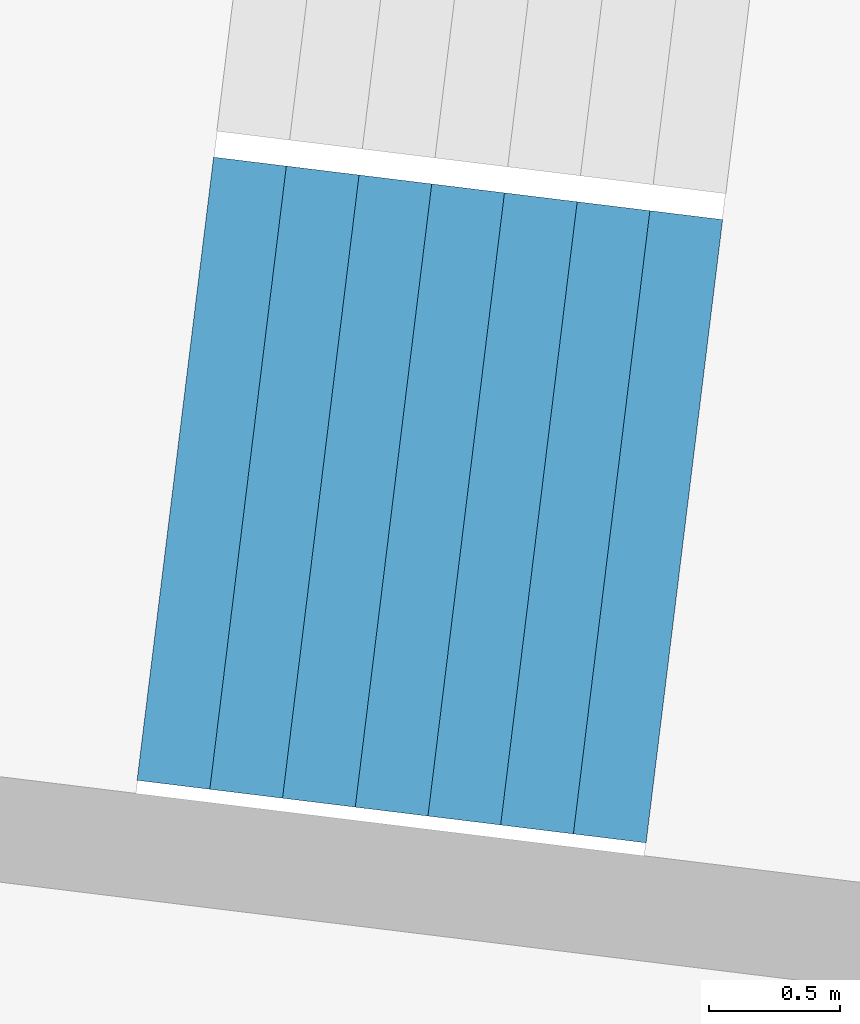
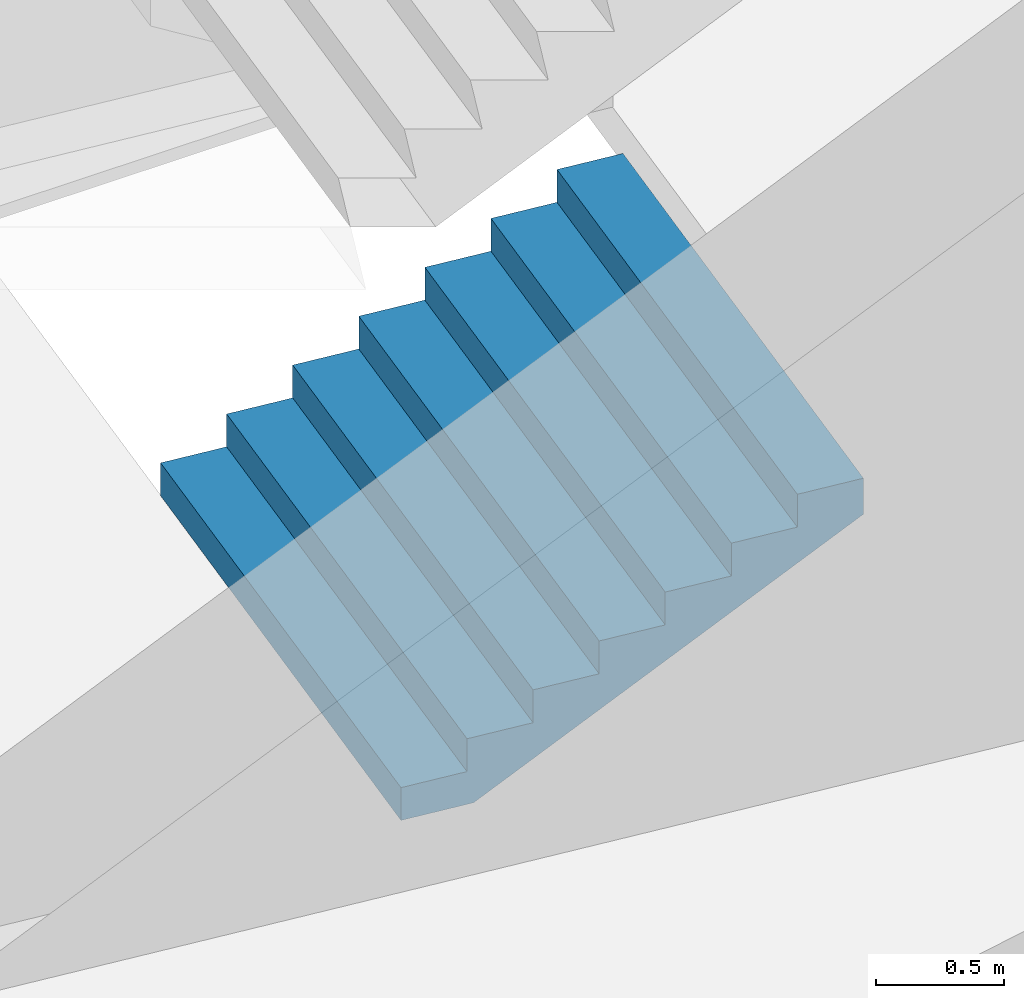
# One storey, part 53 of 73: 1 stair flight, 1 element without a shape of its own.
"""IFC4 building model written with IfcOpenShell, lengths in metres."""

from ifc_helpers import new_model, si_unit, direction, frame, origin, place, context, subcontext, project, spatial, triangles, material, type_object, element, aggregate, save


model = new_model("IFC4")

# Units and contexts
model_context = context("Model", 3, precision=1e-05, world=origin(), true_north=direction((0.0, 1.0)))
body_context = subcontext(model_context, "Body", "Model", "MODEL_VIEW")
ifc_project = project(units=[si_unit("LENGTHUNIT", "METRE"), si_unit("AREAUNIT", "SQUARE_METRE"), si_unit("VOLUMEUNIT", "CUBIC_METRE"), si_unit("PLANEANGLEUNIT", "RADIAN"), si_unit("MASSUNIT", "GRAM", prefix="KILO")], contexts=[model_context])

# Site, building, storey
site_placement = place(None, origin())
site = spatial("IfcSite", under=ifc_project, at=site_placement, CompositionType="ELEMENT")
building_placement = place(site_placement, origin())
building = spatial("IfcBuilding", under=site, at=building_placement, Name="Lantaw Convention Tower", CompositionType="ELEMENT")
storey_placement = place(building_placement, frame((0.0, 0.0, 22.0)))
storey = spatial("IfcBuildingStorey", under=building, at=storey_placement, Name="L03", CompositionType="ELEMENT", Elevation=22.0)

# Stair, stair flight
ifc_material = material(Name="Concrete C35/45", Category="concrete")
stair_type = type_object("IfcStairType", Name="Exit stair 2400 riser 156.25 in 4 flights", PredefinedType="HALF_TURN_STAIR", material=ifc_material)
stair_placement = place(storey_placement, origin())
stair = element("IfcStair", 1, at=stair_placement, inside=storey, type_object=stair_type, Name="Podium exit stair P13 L03", PredefinedType="HALF_TURN_STAIR")
stair_flight_type = type_object("IfcStairFlightType", Name="Stair flight 2400 riser 156.25", PredefinedType="STRAIGHT", material=ifc_material)
stair_flight_placement = place(storey_placement, frame((34.857421875, -5.539306640625, 0.0), z_axis=(0.0, 0.0, 1.0), x_axis=(0.992546151641, -0.121869343405, 0.0)))
stair_flight = element("IfcStairFlight", 2, at=stair_flight_placement, type_object=stair_flight_type, Name="P13 flight 1", NumberOfRisers=8, NumberOfTreads=7, PredefinedType="STRAIGHT", RiserHeight=0.15625, TreadLength=0.28, context=body_context, shape_type="Tessellation", body=[
    triangles([(0.0, 1.199951171875, 0.0), (0.0, 1.199951171875, 0.15625), (0.28, 1.199951171875, 0.0), (0.28, 1.199951171875, 0.15625), (0.28, 1.199951171875, 0.3125), (0.3076200632058044, 1.199951171875, 0.0), (0.3076200632058044, 1.199951171875, 0.3125), (0.56, 1.199951171875, 0.14083701830033238), (0.56, 1.199951171875, 0.3125), (0.56, 1.199951171875, 0.46875), (0.8400000000000001, 1.199951171875, 0.29708701830033235), (0.8400000000000001, 1.199951171875, 0.46875), (0.8400000000000001, 1.199951171875, 0.625), (1.12, 1.199951171875, 0.45333701830033235), (1.12, 1.199951171875, 0.625), (1.12, 1.199951171875, 0.78125), (1.4000000000000001, 1.199951171875, 0.6095870183003324), (1.4000000000000001, 1.199951171875, 0.78125), (1.4000000000000001, 1.199951171875, 0.9375), (1.6800000000000002, 1.199951171875, 0.7658370183003324), (1.6800000000000002, 1.199951171875, 0.9375), (1.6800000000000002, 1.199951171875, 1.09375), (1.9600000000000002, 1.199951171875, 0.9220870183003324), (1.9600000000000002, 1.199951171875, 1.09375), (0.0, -1.199951171875, 0.0), (0.0, -1.199951171875, 0.15625), (0.28, -1.199951171875, 0.0), (0.28, -1.199951171875, 0.15625), (0.28, -1.199951171875, 0.3125), (0.3076200632058044, -1.199951171875, 0.0), (0.3076200632058044, -1.199951171875, 0.3125), (0.56, -1.199951171875, 0.14083701830033238), (0.56, -1.199951171875, 0.3125), (0.56, -1.199951171875, 0.46875), (0.8400000000000001, -1.199951171875, 0.29708701830033235), (0.8400000000000001, -1.199951171875, 0.46875), (0.8400000000000001, -1.199951171875, 0.625), (1.12, -1.199951171875, 0.45333701830033235), (1.12, -1.199951171875, 0.625), (1.12, -1.199951171875, 0.78125), (1.4000000000000001, -1.199951171875, 0.6095870183003324), (1.4000000000000001, -1.199951171875, 0.78125), (1.4000000000000001, -1.199951171875, 0.9375), (1.6800000000000002, -1.199951171875, 0.7658370183003324), (1.6800000000000002, -1.199951171875, 0.9375), (1.6800000000000002, -1.199951171875, 1.09375), (1.9600000000000002, -1.199951171875, 0.9220870183003324), (1.9600000000000002, -1.199951171875, 1.09375), (0.0, 0.239990234375, 0.15625), (0.0, 0.239990234375, 0.0), (0.0, 0.1919921875, 0.15625), (0.0, 0.1919921875, 0.0), (0.0, 0.143994140625, 0.15625), (0.0, 0.143994140625, 0.0), (0.0, 0.09599609375, 0.15625), (0.0, 0.09599609375, 0.0), (0.0, 0.047998046875, 0.15625), (0.0, 0.047998046875, 0.0), (0.0, 0.0, 0.15625), (0.0, 0.0, 0.0), (0.0, -0.047998046875, 0.15625), (0.0, -0.047998046875, 0.0), (0.0, -0.09599609375, 0.15625), (0.0, -0.09599609375, 0.0), (0.0, -0.143994140625, 0.15625), (0.0, -0.143994140625, 0.0), (0.0, -0.1919921875, 0.15625), (0.0, -0.1919921875, 0.0), (0.0, -0.239990234375, 0.15625), (0.0, -0.239990234375, 0.0), (0.28, 0.239990234375, 0.3125), (0.28, 0.239990234375, 0.15625), (0.28, 0.1919921875, 0.3125), (0.28, 0.1919921875, 0.15625), (0.28, 0.143994140625, 0.3125), (0.28, 0.143994140625, 0.15625), (0.28, 0.09599609375, 0.3125), (0.28, 0.09599609375, 0.15625), (0.28, 0.047998046875, 0.3125), (0.28, 0.047998046875, 0.15625), (0.28, 0.0, 0.3125), (0.28, 0.0, 0.15625), (0.28, -0.047998046875, 0.3125), (0.28, -0.047998046875, 0.15625), (0.28, -0.09599609375, 0.3125), (0.28, -0.09599609375, 0.15625), (0.28, -0.143994140625, 0.3125), (0.28, -0.143994140625, 0.15625), (0.28, -0.1919921875, 0.3125), (0.28, -0.1919921875, 0.15625), (0.28, -0.239990234375, 0.3125), (0.28, -0.239990234375, 0.15625), (0.56, 0.239990234375, 0.46875), (0.56, 0.239990234375, 0.3125), (0.56, 0.1919921875, 0.46875), (0.56, 0.1919921875, 0.3125), (0.56, 0.143994140625, 0.46875), (0.56, 0.143994140625, 0.3125), (0.56, 0.09599609375, 0.46875), (0.56, 0.09599609375, 0.3125), (0.56, 0.047998046875, 0.46875), (0.56, 0.047998046875, 0.3125), (0.56, 0.0, 0.46875), (0.56, 0.0, 0.3125), (0.56, -0.047998046875, 0.46875), (0.56, -0.047998046875, 0.3125), (0.56, -0.09599609375, 0.46875), (0.56, -0.09599609375, 0.3125), (0.56, -0.143994140625, 0.46875), (0.56, -0.143994140625, 0.3125), (0.56, -0.1919921875, 0.46875), (0.56, -0.1919921875, 0.3125), (0.56, -0.239990234375, 0.46875), (0.56, -0.239990234375, 0.3125), (0.8400000000000001, 0.239990234375, 0.625), (0.8400000000000001, 0.239990234375, 0.46875), (0.8400000000000001, 0.1919921875, 0.625), (0.8400000000000001, 0.1919921875, 0.46875), (0.8400000000000001, 0.143994140625, 0.625), (0.8400000000000001, 0.143994140625, 0.46875), (0.8400000000000001, 0.09599609375, 0.625), (0.8400000000000001, 0.09599609375, 0.46875), (0.8400000000000001, 0.047998046875, 0.625), (0.8400000000000001, 0.047998046875, 0.46875), (0.8400000000000001, 0.0, 0.625), (0.8400000000000001, 0.0, 0.46875), (0.8400000000000001, -0.047998046875, 0.625), (0.8400000000000001, -0.047998046875, 0.46875), (0.8400000000000001, -0.09599609375, 0.625), (0.8400000000000001, -0.09599609375, 0.46875), (0.8400000000000001, -0.143994140625, 0.625), (0.8400000000000001, -0.143994140625, 0.46875), (0.8400000000000001, -0.1919921875, 0.625), (0.8400000000000001, -0.1919921875, 0.46875), (0.8400000000000001, -0.239990234375, 0.625), (0.8400000000000001, -0.239990234375, 0.46875), (1.12, 0.239990234375, 0.78125), (1.12, 0.239990234375, 0.625), (1.12, 0.1919921875, 0.78125), (1.12, 0.1919921875, 0.625), (1.12, 0.143994140625, 0.78125), (1.12, 0.143994140625, 0.625), (1.12, 0.09599609375, 0.78125), (1.12, 0.09599609375, 0.625), (1.12, 0.047998046875, 0.78125), (1.12, 0.047998046875, 0.625), (1.12, 0.0, 0.78125), (1.12, 0.0, 0.625), (1.12, -0.047998046875, 0.78125), (1.12, -0.047998046875, 0.625), (1.12, -0.09599609375, 0.78125), (1.12, -0.09599609375, 0.625), (1.12, -0.143994140625, 0.78125), (1.12, -0.143994140625, 0.625), (1.12, -0.1919921875, 0.78125), (1.12, -0.1919921875, 0.625), (1.12, -0.239990234375, 0.78125), (1.12, -0.239990234375, 0.625), (1.4000000000000001, 0.239990234375, 0.9375), (1.4000000000000001, 0.239990234375, 0.78125), (1.4000000000000001, 0.1919921875, 0.9375), (1.4000000000000001, 0.1919921875, 0.78125), (1.4000000000000001, 0.143994140625, 0.9375), (1.4000000000000001, 0.143994140625, 0.78125), (1.4000000000000001, 0.09599609375, 0.9375), (1.4000000000000001, 0.09599609375, 0.78125), (1.4000000000000001, 0.047998046875, 0.9375), (1.4000000000000001, 0.047998046875, 0.78125), (1.4000000000000001, 0.0, 0.9375), (1.4000000000000001, 0.0, 0.78125), (1.4000000000000001, -0.047998046875, 0.9375), (1.4000000000000001, -0.047998046875, 0.78125), (1.4000000000000001, -0.09599609375, 0.9375), (1.4000000000000001, -0.09599609375, 0.78125), (1.4000000000000001, -0.143994140625, 0.9375), (1.4000000000000001, -0.143994140625, 0.78125), (1.4000000000000001, -0.1919921875, 0.9375), (1.4000000000000001, -0.1919921875, 0.78125), (1.4000000000000001, -0.239990234375, 0.9375), (1.4000000000000001, -0.239990234375, 0.78125), (1.6800000000000002, 0.239990234375, 1.09375), (1.6800000000000002, 0.239990234375, 0.9375), (1.6800000000000002, 0.1919921875, 1.09375), (1.6800000000000002, 0.1919921875, 0.9375), (1.6800000000000002, 0.143994140625, 1.09375), (1.6800000000000002, 0.143994140625, 0.9375), (1.6800000000000002, 0.09599609375, 1.09375), (1.6800000000000002, 0.09599609375, 0.9375), (1.6800000000000002, 0.047998046875, 1.09375), (1.6800000000000002, 0.047998046875, 0.9375), (1.6800000000000002, 0.0, 1.09375), (1.6800000000000002, 0.0, 0.9375), (1.6800000000000002, -0.047998046875, 1.09375), (1.6800000000000002, -0.047998046875, 0.9375), (1.6800000000000002, -0.09599609375, 1.09375), (1.6800000000000002, -0.09599609375, 0.9375), (1.6800000000000002, -0.143994140625, 1.09375), (1.6800000000000002, -0.143994140625, 0.9375), (1.6800000000000002, -0.1919921875, 1.09375), (1.6800000000000002, -0.1919921875, 0.9375), (1.6800000000000002, -0.239990234375, 1.09375), (1.6800000000000002, -0.239990234375, 0.9375), (0.3076200632058044, 0.239990234375, 0.3125), (0.3076200632058044, 0.1919921875, 0.3125), (0.3076200632058044, 0.143994140625, 0.3125), (0.3076200632058044, 0.09599609375, 0.3125), (0.3076200632058044, 0.047998046875, 0.3125), (0.3076200632058044, 0.0, 0.3125), (0.3076200632058044, -0.047998046875, 0.3125), (0.3076200632058044, -0.09599609375, 0.3125), (0.3076200632058044, -0.143994140625, 0.3125), (0.3076200632058044, -0.1919921875, 0.3125), (0.3076200632058044, -0.239990234375, 0.3125), (1.9600000000000002, 0.239990234375, 1.09375), (1.9600000000000002, 0.1919921875, 1.09375), (1.9600000000000002, 0.143994140625, 1.09375), (1.9600000000000002, 0.09599609375, 1.09375), (1.9600000000000002, 0.047998046875, 1.09375), (1.9600000000000002, 0.0, 1.09375), (1.9600000000000002, -0.047998046875, 1.09375), (1.9600000000000002, -0.09599609375, 1.09375), (1.9600000000000002, -0.143994140625, 1.09375), (1.9600000000000002, -0.1919921875, 1.09375), (1.9600000000000002, -0.239990234375, 1.09375), (1.9600000000000002, 0.239990234375, 0.9220870183003324), (1.9600000000000002, 0.1919921875, 0.9220870183003324), (1.9600000000000002, 0.143994140625, 0.9220870183003324), (1.9600000000000002, 0.09599609375, 0.9220870183003324), (1.9600000000000002, 0.047998046875, 0.9220870183003324), (1.9600000000000002, 0.0, 0.9220870183003324), (1.9600000000000002, -0.047998046875, 0.9220870183003324), (1.9600000000000002, -0.09599609375, 0.9220870183003324), (1.9600000000000002, -0.143994140625, 0.9220870183003324), (1.9600000000000002, -0.1919921875, 0.9220870183003324), (1.9600000000000002, -0.239990234375, 0.9220870183003324), (1.6800000000000002, 0.239990234375, 0.7658370183003324), (1.6800000000000002, 0.1919921875, 0.7658370183003324), (1.6800000000000002, 0.143994140625, 0.7658370183003324), (1.6800000000000002, 0.09599609375, 0.7658370183003324), (1.6800000000000002, 0.047998046875, 0.7658370183003324), (1.6800000000000002, 0.0, 0.7658370183003324), (1.6800000000000002, -0.047998046875, 0.7658370183003324), (1.6800000000000002, -0.09599609375, 0.7658370183003324), (1.6800000000000002, -0.143994140625, 0.7658370183003324), (1.6800000000000002, -0.1919921875, 0.7658370183003324), (1.6800000000000002, -0.239990234375, 0.7658370183003324), (1.4000000000000001, 0.239990234375, 0.6095870183003324), (1.4000000000000001, 0.1919921875, 0.6095870183003324), (1.4000000000000001, 0.143994140625, 0.6095870183003324), (1.4000000000000001, 0.09599609375, 0.6095870183003324), (1.4000000000000001, 0.047998046875, 0.6095870183003324), (1.4000000000000001, 0.0, 0.6095870183003324), (1.4000000000000001, -0.047998046875, 0.6095870183003324), (1.4000000000000001, -0.09599609375, 0.6095870183003324), (1.4000000000000001, -0.143994140625, 0.6095870183003324), (1.4000000000000001, -0.1919921875, 0.6095870183003324), (1.4000000000000001, -0.239990234375, 0.6095870183003324), (1.12, 0.239990234375, 0.45333701830033235), (1.12, 0.1919921875, 0.45333701830033235), (1.12, 0.143994140625, 0.45333701830033235), (1.12, 0.09599609375, 0.45333701830033235), (1.12, 0.047998046875, 0.45333701830033235), (1.12, 0.0, 0.45333701830033235), (1.12, -0.047998046875, 0.45333701830033235), (1.12, -0.09599609375, 0.45333701830033235), (1.12, -0.143994140625, 0.45333701830033235), (1.12, -0.1919921875, 0.45333701830033235), (1.12, -0.239990234375, 0.45333701830033235), (0.8400000000000001, 0.239990234375, 0.29708701830033235), (0.8400000000000001, 0.1919921875, 0.29708701830033235), (0.8400000000000001, 0.143994140625, 0.29708701830033235), (0.8400000000000001, 0.09599609375, 0.29708701830033235), (0.8400000000000001, 0.047998046875, 0.29708701830033235), (0.8400000000000001, 0.0, 0.29708701830033235), (0.8400000000000001, -0.047998046875, 0.29708701830033235), (0.8400000000000001, -0.09599609375, 0.29708701830033235), (0.8400000000000001, -0.143994140625, 0.29708701830033235), (0.8400000000000001, -0.1919921875, 0.29708701830033235), (0.8400000000000001, -0.239990234375, 0.29708701830033235), (0.56, 0.239990234375, 0.14083701830033238), (0.56, 0.1919921875, 0.14083701830033238), (0.56, 0.143994140625, 0.14083701830033238), (0.56, 0.09599609375, 0.14083701830033238), (0.56, 0.047998046875, 0.14083701830033238), (0.56, 0.0, 0.14083701830033238), (0.56, -0.047998046875, 0.14083701830033238), (0.56, -0.09599609375, 0.14083701830033238), (0.56, -0.143994140625, 0.14083701830033238), (0.56, -0.1919921875, 0.14083701830033238), (0.56, -0.239990234375, 0.14083701830033238), (0.3076200632058044, 0.239990234375, 0.0), (0.3076200632058044, 0.1919921875, 0.0), (0.3076200632058044, 0.143994140625, 0.0), (0.3076200632058044, 0.09599609375, 0.0), (0.3076200632058044, 0.047998046875, 0.0), (0.3076200632058044, 0.0, 0.0), (0.3076200632058044, -0.047998046875, 0.0), (0.3076200632058044, -0.09599609375, 0.0), (0.3076200632058044, -0.143994140625, 0.0), (0.3076200632058044, -0.1919921875, 0.0), (0.3076200632058044, -0.239990234375, 0.0), (0.28, 0.239990234375, 0.0), (0.28, 0.1919921875, 0.0), (0.28, 0.143994140625, 0.0), (0.28, 0.09599609375, 0.0), (0.28, 0.047998046875, 0.0), (0.28, 0.0, 0.0), (0.28, -0.047998046875, 0.0), (0.28, -0.09599609375, 0.0), (0.28, -0.143994140625, 0.0), (0.28, -0.1919921875, 0.0), (0.28, -0.239990234375, 0.0)], [[1, 4, 3], [1, 2, 4], [3, 4, 6], [4, 7, 6], [4, 5, 7], [6, 9, 8], [6, 7, 9], [8, 9, 11], [9, 12, 11], [9, 10, 12], [11, 12, 14], [12, 15, 14], [12, 13, 15], [14, 15, 17], [15, 18, 17], [15, 16, 18], [17, 18, 20], [18, 21, 20], [18, 19, 21], [20, 21, 23], [21, 24, 23], [21, 22, 24], [25, 27, 28], [25, 28, 26], [27, 30, 28], [28, 30, 31], [28, 31, 29], [30, 32, 33], [30, 33, 31], [32, 35, 33], [33, 35, 36], [33, 36, 34], [35, 38, 36], [36, 38, 39], [36, 39, 37], [38, 41, 39], [39, 41, 42], [39, 42, 40], [41, 44, 42], [42, 44, 45], [42, 45, 43], [44, 47, 45], [45, 47, 48], [45, 48, 46], [1, 49, 2], [1, 50, 49], [50, 51, 49], [50, 52, 51], [52, 53, 51], [52, 54, 53], [54, 55, 53], [54, 56, 55], [56, 57, 55], [56, 58, 57], [58, 59, 57], [58, 60, 59], [60, 61, 59], [60, 62, 61], [62, 63, 61], [62, 64, 63], [64, 65, 63], [64, 66, 65], [66, 67, 65], [66, 68, 67], [68, 69, 67], [68, 70, 69], [70, 26, 69], [70, 25, 26], [4, 71, 5], [4, 72, 71], [72, 73, 71], [72, 74, 73], [74, 75, 73], [74, 76, 75], [76, 77, 75], [76, 78, 77], [78, 79, 77], [78, 80, 79], [80, 81, 79], [80, 82, 81], [82, 83, 81], [82, 84, 83], [84, 85, 83], [84, 86, 85], [86, 87, 85], [86, 88, 87], [88, 89, 87], [88, 90, 89], [90, 91, 89], [90, 92, 91], [92, 29, 91], [92, 28, 29], [9, 93, 10], [9, 94, 93], [94, 95, 93], [94, 96, 95], [96, 97, 95], [96, 98, 97], [98, 99, 97], [98, 100, 99], [100, 101, 99], [100, 102, 101], [102, 103, 101], [102, 104, 103], [104, 105, 103], [104, 106, 105], [106, 107, 105], [106, 108, 107], [108, 109, 107], [108, 110, 109], [110, 111, 109], [110, 112, 111], [112, 113, 111], [112, 114, 113], [114, 34, 113], [114, 33, 34], [12, 115, 13], [12, 116, 115], [116, 117, 115], [116, 118, 117], [118, 119, 117], [118, 120, 119], [120, 121, 119], [120, 122, 121], [122, 123, 121], [122, 124, 123], [124, 125, 123], [124, 126, 125], [126, 127, 125], [126, 128, 127], [128, 129, 127], [128, 130, 129], [130, 131, 129], [130, 132, 131], [132, 133, 131], [132, 134, 133], [134, 135, 133], [134, 136, 135], [136, 37, 135], [136, 36, 37], [15, 137, 16], [15, 138, 137], [138, 139, 137], [138, 140, 139], [140, 141, 139], [140, 142, 141], [142, 143, 141], [142, 144, 143], [144, 145, 143], [144, 146, 145], [146, 147, 145], [146, 148, 147], [148, 149, 147], [148, 150, 149], [150, 151, 149], [150, 152, 151], [152, 153, 151], [152, 154, 153], [154, 155, 153], [154, 156, 155], [156, 157, 155], [156, 158, 157], [158, 40, 157], [158, 39, 40], [18, 159, 19], [18, 160, 159], [160, 161, 159], [160, 162, 161], [162, 163, 161], [162, 164, 163], [164, 165, 163], [164, 166, 165], [166, 167, 165], [166, 168, 167], [168, 169, 167], [168, 170, 169], [170, 171, 169], [170, 172, 171], [172, 173, 171], [172, 174, 173], [174, 175, 173], [174, 176, 175], [176, 177, 175], [176, 178, 177], [178, 179, 177], [178, 180, 179], [180, 43, 179], [180, 42, 43], [21, 181, 22], [21, 182, 181], [182, 183, 181], [182, 184, 183], [184, 185, 183], [184, 186, 185], [186, 187, 185], [186, 188, 187], [188, 189, 187], [188, 190, 189], [190, 191, 189], [190, 192, 191], [192, 193, 191], [192, 194, 193], [194, 195, 193], [194, 196, 195], [196, 197, 195], [196, 198, 197], [198, 199, 197], [198, 200, 199], [200, 201, 199], [200, 202, 201], [202, 46, 201], [202, 45, 46], [2, 72, 4], [2, 49, 72], [49, 74, 72], [49, 51, 74], [51, 76, 74], [51, 53, 76], [53, 78, 76], [53, 55, 78], [55, 80, 78], [55, 57, 80], [57, 82, 80], [57, 59, 82], [59, 84, 82], [59, 61, 84], [61, 86, 84], [61, 63, 86], [63, 88, 86], [63, 65, 88], [65, 90, 88], [65, 67, 90], [67, 92, 90], [67, 69, 92], [69, 28, 92], [69, 26, 28], [5, 203, 7], [5, 71, 203], [71, 204, 203], [71, 73, 204], [73, 205, 204], [73, 75, 205], [75, 206, 205], [75, 77, 206], [77, 207, 206], [77, 79, 207], [79, 208, 207], [79, 81, 208], [81, 209, 208], [81, 83, 209], [83, 210, 209], [83, 85, 210], [85, 211, 210], [85, 87, 211], [87, 212, 211], [87, 89, 212], [89, 213, 212], [89, 91, 213], [91, 31, 213], [91, 29, 31], [7, 94, 9], [7, 203, 94], [203, 96, 94], [203, 204, 96], [204, 98, 96], [204, 205, 98], [205, 100, 98], [205, 206, 100], [206, 102, 100], [206, 207, 102], [207, 104, 102], [207, 208, 104], [208, 106, 104], [208, 209, 106], [209, 108, 106], [209, 210, 108], [210, 110, 108], [210, 211, 110], [211, 112, 110], [211, 212, 112], [212, 114, 112], [212, 213, 114], [213, 33, 114], [213, 31, 33], [10, 116, 12], [10, 93, 116], [93, 118, 116], [93, 95, 118], [95, 120, 118], [95, 97, 120], [97, 122, 120], [97, 99, 122], [99, 124, 122], [99, 101, 124], [101, 126, 124], [101, 103, 126], [103, 128, 126], [103, 105, 128], [105, 130, 128], [105, 107, 130], [107, 132, 130], [107, 109, 132], [109, 134, 132], [109, 111, 134], [111, 136, 134], [111, 113, 136], [113, 36, 136], [113, 34, 36], [13, 138, 15], [13, 115, 138], [115, 140, 138], [115, 117, 140], [117, 142, 140], [117, 119, 142], [119, 144, 142], [119, 121, 144], [121, 146, 144], [121, 123, 146], [123, 148, 146], [123, 125, 148], [125, 150, 148], [125, 127, 150], [127, 152, 150], [127, 129, 152], [129, 154, 152], [129, 131, 154], [131, 156, 154], [131, 133, 156], [133, 158, 156], [133, 135, 158], [135, 39, 158], [135, 37, 39], [16, 160, 18], [16, 137, 160], [137, 162, 160], [137, 139, 162], [139, 164, 162], [139, 141, 164], [141, 166, 164], [141, 143, 166], [143, 168, 166], [143, 145, 168], [145, 170, 168], [145, 147, 170], [147, 172, 170], [147, 149, 172], [149, 174, 172], [149, 151, 174], [151, 176, 174], [151, 153, 176], [153, 178, 176], [153, 155, 178], [155, 180, 178], [155, 157, 180], [157, 42, 180], [157, 40, 42], [19, 182, 21], [19, 159, 182], [159, 184, 182], [159, 161, 184], [161, 186, 184], [161, 163, 186], [163, 188, 186], [163, 165, 188], [165, 190, 188], [165, 167, 190], [167, 192, 190], [167, 169, 192], [169, 194, 192], [169, 171, 194], [171, 196, 194], [171, 173, 196], [173, 198, 196], [173, 175, 198], [175, 200, 198], [175, 177, 200], [177, 202, 200], [177, 179, 202], [179, 45, 202], [179, 43, 45], [22, 214, 24], [22, 181, 214], [181, 215, 214], [181, 183, 215], [183, 216, 215], [183, 185, 216], [185, 217, 216], [185, 187, 217], [187, 218, 217], [187, 189, 218], [189, 219, 218], [189, 191, 219], [191, 220, 219], [191, 193, 220], [193, 221, 220], [193, 195, 221], [195, 222, 221], [195, 197, 222], [197, 223, 222], [197, 199, 223], [199, 224, 223], [199, 201, 224], [201, 48, 224], [201, 46, 48], [24, 225, 23], [24, 214, 225], [214, 226, 225], [214, 215, 226], [215, 227, 226], [215, 216, 227], [216, 228, 227], [216, 217, 228], [217, 229, 228], [217, 218, 229], [218, 230, 229], [218, 219, 230], [219, 231, 230], [219, 220, 231], [220, 232, 231], [220, 221, 232], [221, 233, 232], [221, 222, 233], [222, 234, 233], [222, 223, 234], [223, 235, 234], [223, 224, 235], [224, 47, 235], [224, 48, 47], [23, 236, 20], [23, 225, 236], [225, 237, 236], [225, 226, 237], [226, 238, 237], [226, 227, 238], [227, 239, 238], [227, 228, 239], [228, 240, 239], [228, 229, 240], [229, 241, 240], [229, 230, 241], [230, 242, 241], [230, 231, 242], [231, 243, 242], [231, 232, 243], [232, 244, 243], [232, 233, 244], [233, 245, 244], [233, 234, 245], [234, 246, 245], [234, 235, 246], [235, 44, 246], [235, 47, 44], [20, 247, 17], [20, 236, 247], [236, 248, 247], [236, 237, 248], [237, 249, 248], [237, 238, 249], [238, 250, 249], [238, 239, 250], [239, 251, 250], [239, 240, 251], [240, 252, 251], [240, 241, 252], [241, 253, 252], [241, 242, 253], [242, 254, 253], [242, 243, 254], [243, 255, 254], [243, 244, 255], [244, 256, 255], [244, 245, 256], [245, 257, 256], [245, 246, 257], [246, 41, 257], [246, 44, 41], [17, 258, 14], [17, 247, 258], [247, 259, 258], [247, 248, 259], [248, 260, 259], [248, 249, 260], [249, 261, 260], [249, 250, 261], [250, 262, 261], [250, 251, 262], [251, 263, 262], [251, 252, 263], [252, 264, 263], [252, 253, 264], [253, 265, 264], [253, 254, 265], [254, 266, 265], [254, 255, 266], [255, 267, 266], [255, 256, 267], [256, 268, 267], [256, 257, 268], [257, 38, 268], [257, 41, 38], [14, 269, 11], [14, 258, 269], [258, 270, 269], [258, 259, 270], [259, 271, 270], [259, 260, 271], [260, 272, 271], [260, 261, 272], [261, 273, 272], [261, 262, 273], [262, 274, 273], [262, 263, 274], [263, 275, 274], [263, 264, 275], [264, 276, 275], [264, 265, 276], [265, 277, 276], [265, 266, 277], [266, 278, 277], [266, 267, 278], [267, 279, 278], [267, 268, 279], [268, 35, 279], [268, 38, 35], [11, 280, 8], [11, 269, 280], [269, 281, 280], [269, 270, 281], [270, 282, 281], [270, 271, 282], [271, 283, 282], [271, 272, 283], [272, 284, 283], [272, 273, 284], [273, 285, 284], [273, 274, 285], [274, 286, 285], [274, 275, 286], [275, 287, 286], [275, 276, 287], [276, 288, 287], [276, 277, 288], [277, 289, 288], [277, 278, 289], [278, 290, 289], [278, 279, 290], [279, 32, 290], [279, 35, 32], [8, 291, 6], [8, 280, 291], [280, 292, 291], [280, 281, 292], [281, 293, 292], [281, 282, 293], [282, 294, 293], [282, 283, 294], [283, 295, 294], [283, 284, 295], [284, 296, 295], [284, 285, 296], [285, 297, 296], [285, 286, 297], [286, 298, 297], [286, 287, 298], [287, 299, 298], [287, 288, 299], [288, 300, 299], [288, 289, 300], [289, 301, 300], [289, 290, 301], [290, 30, 301], [290, 32, 30], [6, 302, 3], [6, 291, 302], [291, 303, 302], [291, 292, 303], [292, 304, 303], [292, 293, 304], [293, 305, 304], [293, 294, 305], [294, 306, 305], [294, 295, 306], [295, 307, 306], [295, 296, 307], [296, 308, 307], [296, 297, 308], [297, 309, 308], [297, 298, 309], [298, 310, 309], [298, 299, 310], [299, 311, 310], [299, 300, 311], [300, 312, 311], [300, 301, 312], [301, 27, 312], [301, 30, 27], [3, 50, 1], [3, 302, 50], [302, 52, 50], [302, 303, 52], [303, 54, 52], [303, 304, 54], [304, 56, 54], [304, 305, 56], [305, 58, 56], [305, 306, 58], [306, 60, 58], [306, 307, 60], [307, 62, 60], [307, 308, 62], [308, 64, 62], [308, 309, 64], [309, 66, 64], [309, 310, 66], [310, 68, 66], [310, 311, 68], [311, 70, 68], [311, 312, 70], [312, 25, 70], [312, 27, 25]], closed=True),
])
aggregate(stair, [stair_flight])

save(model, "model.ifc")
